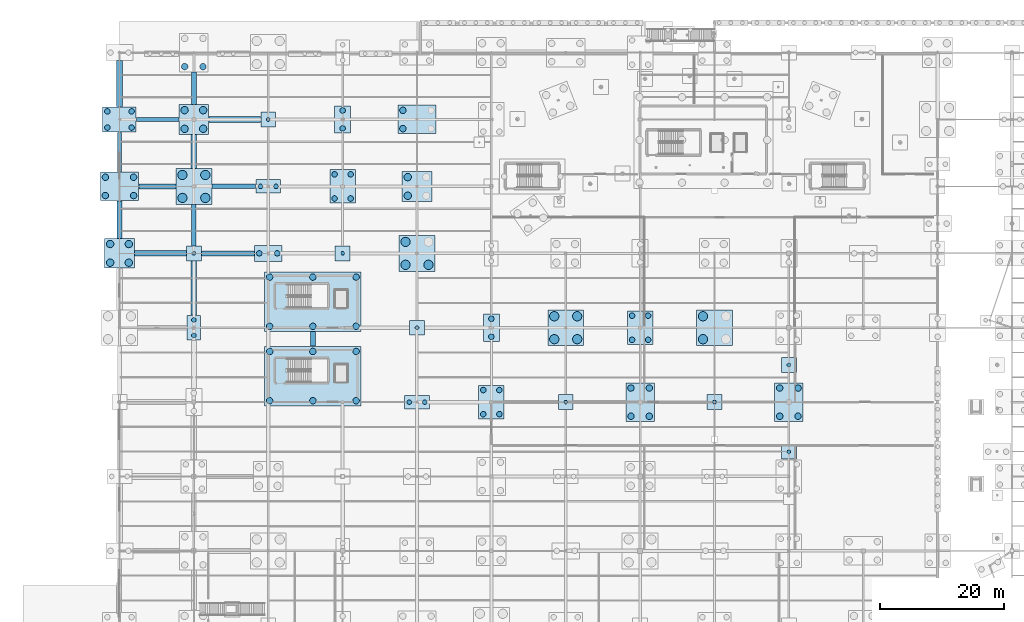
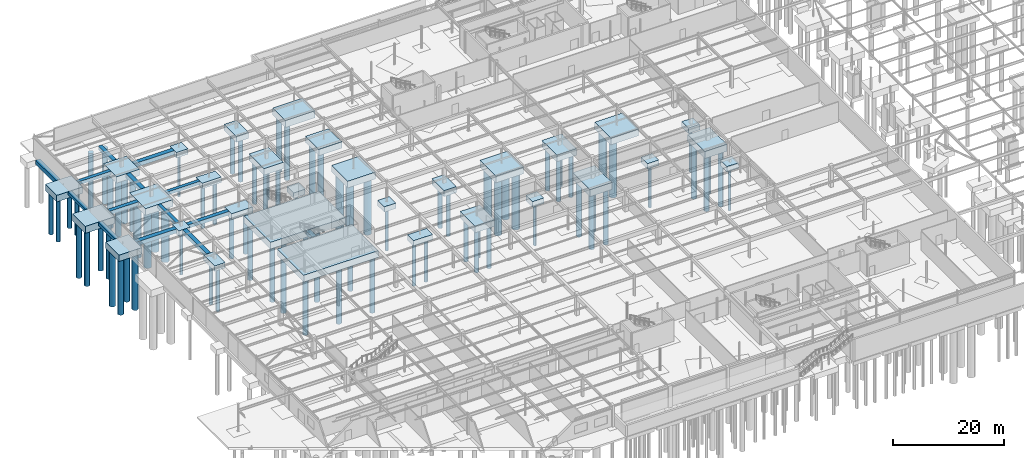
# One storey, part 4 of 136: 87 piles, 45 footings.
"""IFC4 building model written with IfcOpenShell, lengths in metres."""

from ifc_helpers import new_model, si_unit, direction, frame, origin, origin_2d, place, context, subcontext, project, spatial, rectangle, circle, extrude, material, material_profile, profile_set, type_object, element, save


model = new_model("IFC4")

# Units and contexts
model_context = context("Model", 3, precision=1e-05, world=origin(), true_north=direction((0.0, 1.0)))
body_context = subcontext(model_context, "Body", "Model", "MODEL_VIEW")
ifc_project = project(units=[si_unit("LENGTHUNIT", "METRE"), si_unit("AREAUNIT", "SQUARE_METRE"), si_unit("VOLUMEUNIT", "CUBIC_METRE"), si_unit("PLANEANGLEUNIT", "RADIAN"), si_unit("MASSUNIT", "GRAM", prefix="KILO")], contexts=[model_context])

# Site, building, storey
site_placement = place(None, origin())
site = spatial("IfcSite", under=ifc_project, at=site_placement, CompositionType="ELEMENT")
building_placement = place(site_placement, origin())
building = spatial("IfcBuilding", under=site, at=building_placement, Name="Tarnwether General Hospital", CompositionType="ELEMENT")
storey_placement = place(building_placement, frame((0.0, 0.0, -4.800048828125)))
storey = spatial("IfcBuildingStorey", under=building, at=storey_placement, Name="LG", CompositionType="ELEMENT", Elevation=-4.800048828125)

# Footings
ifc_material_1 = material(Name="Concrete 40 MPa", Category="concrete")
footing_type_1 = type_object("IfcFootingType", Name="FT-GB1", PredefinedType="FOOTING_BEAM", material=ifc_material_1)
footing_1_placement = place(storey_placement, frame((31.199951171875, 79.800048828125, -0.7998046875), z_axis=(0.0, 0.0, 1.0), x_axis=(0.0, 1.0, 0.0)))
element("IfcFooting", 1, at=footing_1_placement, inside=storey, type_object=footing_type_1, Name="Ground Footing Beam FT-GB-0001", PredefinedType="FOOTING_BEAM", context=body_context, shape_type="SweptSolid", body=[
    extrude(rectangle(XDim=2.360107421875, YDim=0.800048828125, at=origin_2d()), origin(), (0.0, 0.0, 1.0), 0.800048828125),
])
footing_2_placement = place(storey_placement, frame((0.0, 99.050048828125, -0.7998046875), z_axis=(0.0, 0.0, 1.0), x_axis=(0.0, 1.0, 0.0)))
element("IfcFooting", 2, at=footing_2_placement, inside=storey, type_object=footing_type_1, Name="Ground Footing Beam FT-GB-0019", PredefinedType="FOOTING_BEAM", context=body_context, shape_type="SweptSolid", body=[
    extrude(rectangle(XDim=6.06005859375, YDim=0.800048828125, at=origin_2d()), origin(), (0.0, 0.0, 1.0), 0.800048828125),
])
footing_3_placement = place(storey_placement, frame((6.10009765625, 104.39990234375, -0.7998046875), z_axis=(0.0, 0.0, 1.0), x_axis=(1.0, 0.0, 0.0)))
element("IfcFooting", 3, at=footing_3_placement, inside=storey, type_object=footing_type_1, Name="Ground Footing Beam FT-GB-0022", PredefinedType="FOOTING_BEAM", context=body_context, shape_type="SweptSolid", body=[
    extrude(rectangle(XDim=5.9599609375, YDim=0.800048828125, at=origin_2d()), origin(), (0.0, 0.0, 1.0), 0.800048828125),
])
footing_4_placement = place(storey_placement, frame((17.5, 93.60009765625, -0.7998046875), z_axis=(0.0, 0.0, 1.0), x_axis=(1.0, 0.0, 0.0)))
element("IfcFooting", 4, at=footing_4_placement, inside=storey, type_object=footing_type_1, Name="Ground Footing Beam FT-GB-0040", PredefinedType="FOOTING_BEAM", context=body_context, shape_type="SweptSolid", body=[
    extrude(rectangle(XDim=8.56005859375, YDim=0.800048828125, at=origin_2d()), origin(), (0.0, 0.0, 1.0), 0.800048828125),
])
footing_5_placement = place(storey_placement, frame((12.0, 120.25, -0.7998046875), z_axis=(0.0, 0.0, 1.0), x_axis=(0.0, 1.0, 0.0)))
element("IfcFooting", 5, at=footing_5_placement, inside=storey, type_object=footing_type_1, Name="Ground Footing Beam FT-GB-0043", PredefinedType="FOOTING_BEAM", context=body_context, shape_type="SweptSolid", body=[
    extrude(rectangle(XDim=5.260009765625, YDim=0.800048828125, at=origin_2d()), origin(), (0.0, 0.0, 1.0), 0.800048828125),
])
ifc_material_2 = material(Name="Concrete 40 MPa", Category="concrete")
footing_type_2 = type_object("IfcFootingType", Name="FT-GB2", PredefinedType="FOOTING_BEAM", material=ifc_material_2)
footing_6_placement = place(storey_placement, frame((6.60009765625, 93.60009765625, -0.89990234375), z_axis=(0.0, 0.0, 1.0), x_axis=(1.0, 0.0, 0.0)))
element("IfcFooting", 6, at=footing_6_placement, inside=storey, type_object=footing_type_2, Name="Ground Footing Beam FT-GB-0020", PredefinedType="FOOTING_BEAM", context=body_context, shape_type="SweptSolid", body=[
    extrude(rectangle(XDim=8.360107421875, YDim=0.89990234375, at=origin_2d()), origin(), (0.0, 0.0, 1.0), 0.89990234375),
])
footing_7_placement = place(storey_placement, frame((0.0, 120.97509765625, -0.89990234375), z_axis=(0.0, 0.0, 1.0), x_axis=(0.0, 1.0, 0.0)))
element("IfcFooting", 7, at=footing_7_placement, inside=storey, type_object=footing_type_2, Name="Ground Footing Beam FT-GB-0023", PredefinedType="FOOTING_BEAM", context=body_context, shape_type="SweptSolid", body=[
    extrude(rectangle(XDim=7.409912109375, YDim=0.89990234375, at=origin_2d()), origin(), (0.0, 0.0, 1.0), 0.89990234375),
])
footing_8_placement = place(storey_placement, frame((12.0, 88.0, -0.89990234375), z_axis=(0.0, 0.0, 1.0), x_axis=(0.0, 1.0, 0.0)))
element("IfcFooting", 8, at=footing_8_placement, inside=storey, type_object=footing_type_2, Name="Ground Footing Beam FT-GB-0038", PredefinedType="FOOTING_BEAM", context=body_context, shape_type="SweptSolid", body=[
    extrude(rectangle(XDim=8.760009765625, YDim=0.89990234375, at=origin_2d()), origin(), (0.0, 0.0, 1.0), 0.89990234375),
])
footing_9_placement = place(storey_placement, frame((12.0, 110.050048828125, -0.89990234375), z_axis=(0.0, 0.0, 1.0), x_axis=(0.0, 1.0, 0.0)))
element("IfcFooting", 9, at=footing_9_placement, inside=storey, type_object=footing_type_2, Name="Ground Footing Beam FT-GB-0041", PredefinedType="FOOTING_BEAM", context=body_context, shape_type="SweptSolid", body=[
    extrude(rectangle(XDim=5.4599609375, YDim=0.89990234375, at=origin_2d()), origin(), (0.0, 0.0, 1.0), 0.89990234375),
])
footing_10_placement = place(storey_placement, frame((18.60009765625, 115.199951171875, -0.89990234375), z_axis=(0.0, 0.0, 1.0), x_axis=(1.0, 0.0, 0.0)))
element("IfcFooting", 10, at=footing_10_placement, inside=storey, type_object=footing_type_2, Name="Ground Footing Beam FT-GB-0044", PredefinedType="FOOTING_BEAM", context=body_context, shape_type="SweptSolid", body=[
    extrude(rectangle(XDim=8.360107421875, YDim=0.89990234375, at=origin_2d()), origin(), (0.0, 0.0, 1.0), 0.89990234375),
])
ifc_material_3 = material(Name="Concrete 40 MPa", Category="concrete")
footing_type_3 = type_object("IfcFootingType", Name="FT-GB3", PredefinedType="FOOTING_BEAM", material=ifc_material_3)
footing_11_placement = place(storey_placement, frame((0.0, 109.925048828125, -0.69970703125), z_axis=(0.0, 0.0, 1.0), x_axis=(0.0, 1.0, 0.0)))
element("IfcFooting", 11, at=footing_11_placement, inside=storey, type_object=footing_type_3, Name="Ground Footing Beam FT-GB-0021", PredefinedType="FOOTING_BEAM", context=body_context, shape_type="SweptSolid", body=[
    extrude(rectangle(XDim=6.409912109375, YDim=0.699951171875, at=origin_2d()), origin(), (0.0, 0.0, 1.0), 0.699951171875),
])
footing_12_placement = place(storey_placement, frame((6.14990234375, 115.199951171875, -0.69970703125), z_axis=(0.0, 0.0, 1.0), x_axis=(1.0, 0.0, 0.0)))
element("IfcFooting", 12, at=footing_12_placement, inside=storey, type_object=footing_type_3, Name="Ground Footing Beam FT-GB-0024", PredefinedType="FOOTING_BEAM", context=body_context, shape_type="SweptSolid", body=[
    extrude(rectangle(XDim=6.860107421875, YDim=0.699951171875, at=origin_2d()), origin(), (0.0, 0.0, 1.0), 0.699951171875),
])
footing_13_placement = place(storey_placement, frame((12.0, 98.14990234375, -0.69970703125), z_axis=(0.0, 0.0, 1.0), x_axis=(0.0, 1.0, 0.0)))
element("IfcFooting", 13, at=footing_13_placement, inside=storey, type_object=footing_type_3, Name="Ground Footing Beam FT-GB-0039", PredefinedType="FOOTING_BEAM", context=body_context, shape_type="SweptSolid", body=[
    extrude(rectangle(XDim=6.659912109375, YDim=0.699951171875, at=origin_2d()), origin(), (0.0, 0.0, 1.0), 0.699951171875),
])
footing_14_placement = place(storey_placement, frame((18.449951171875, 104.39990234375, -0.69970703125), z_axis=(0.0, 0.0, 1.0), x_axis=(1.0, 0.0, 0.0)))
element("IfcFooting", 14, at=footing_14_placement, inside=storey, type_object=footing_type_3, Name="Ground Footing Beam FT-GB-0042", PredefinedType="FOOTING_BEAM", context=body_context, shape_type="SweptSolid", body=[
    extrude(rectangle(XDim=7.06005859375, YDim=0.699951171875, at=origin_2d()), origin(), (0.0, 0.0, 1.0), 0.699951171875),
])
ifc_material_4 = material(Name="Concrete 40 MPa", Category="concrete")
footing_type_4 = type_object("IfcFootingType", Name="FT-PC1", PredefinedType="PILE_CAP", material=ifc_material_4)
for number, where, z_axis, x_axis, name in (
    (15, (12.0, 93.60009765625, -1.19970703125), (0.0, 0.0, 1.0), (0.0, 1.0, 0.0), "Pile Cap FT-CAP-0031"),
    (16, (24.0, 115.199951171875, -1.19970703125), (0.0, 0.0, 1.0), (1.0, 0.0, 0.0), "Pile Cap FT-CAP-0043"),
    (17, (36.0, 93.60009765625, -1.19970703125), (0.0, 0.0, 1.0), (1.0, 0.0, 0.0), "Pile Cap FT-CAP-0051"),
    (18, (48.0, 81.60009765625, -1.19970703125), (0.0, 0.0, 1.0), (1.0, 0.0, 0.0), "Pile Cap FT-CAP-0062"),
    (19, (72.0, 69.60009765625, -1.19970703125), (0.0, 0.0, 1.0), (1.0, 0.0, 0.0), "Pile Cap FT-CAP-0083"),
    (20, (96.0, 69.60009765625, -1.19970703125), (0.0, 0.0, 1.0), (1.0, 0.0, 0.0), "Pile Cap FT-CAP-0099"),
    (21, (108.0, 61.60009765625, -1.19970703125), (0.0, 0.0, 1.0), (1.0, 0.0, 0.0), "Pile Cap FT-CAP-0180"),
    (22, (108.0, 75.60009765625, -1.19970703125), (0.0, 0.0, 1.0), (1.0, 0.0, 0.0), "Pile Cap FT-CAP-0182"),
):
    element("IfcFooting", number, at=place(storey_placement, frame(where, z_axis=z_axis, x_axis=x_axis)), inside=storey, type_object=footing_type_4, Name=name, PredefinedType="PILE_CAP", context=body_context, shape_type="SweptSolid", body=[
        extrude(rectangle(XDim=2.39990234375, YDim=2.39990234375, at=origin_2d()), origin(), (0.0, 0.0, 1.0), 1.199951171875),
    ])
ifc_material_5 = material(Name="Concrete 40 MPa", Category="concrete")
footing_type_5 = type_object("IfcFootingType", Name="FT-PC10", PredefinedType="PILE_CAP", material=ifc_material_5)
for number, where, z_axis, x_axis, name in (
    (23, (31.199951171875, 73.800048828125, -1.5), (0.0, 0.0, 1.0), (1.0, 0.0, 0.0), "Pile Cap FT-CAP-0003"),
    (24, (31.199951171875, 85.800048828125, -1.5), (0.0, 0.0, 1.0), (1.0, 0.0, 0.0), "Pile Cap FT-CAP-0004"),
):
    element("IfcFooting", number, at=place(storey_placement, frame(where, z_axis=z_axis, x_axis=x_axis)), inside=storey, type_object=footing_type_5, Name=name, PredefinedType="PILE_CAP", context=body_context, shape_type="SweptSolid", body=[
        extrude(rectangle(XDim=15.60009765625, YDim=9.60009765625, at=origin_2d()), origin(), (0.0, 0.0, 1.0), 1.5),
    ])
ifc_material_6 = material(Name="Concrete 40 MPa", Category="concrete")
footing_type_6 = type_object("IfcFootingType", Name="FT-PC2", PredefinedType="PILE_CAP", material=ifc_material_6)
for number, where, z_axis, x_axis, name in (
    (25, (12.0, 81.60009765625, -1.19970703125), (0.0, 0.0, 1.0), (0.0, 1.0, 0.0), "Pile Cap FT-CAP-0030"),
    (26, (24.0, 104.39990234375, -1.19970703125), (0.0, 0.0, 1.0), (1.0, 0.0, 0.0), "Pile Cap FT-CAP-0042"),
    (27, (48.0, 69.60009765625, -1.19970703125), (0.0, 0.0, 1.0), (1.0, 0.0, 0.0), "Pile Cap FT-CAP-0061"),
):
    element("IfcFooting", number, at=place(storey_placement, frame(where, z_axis=z_axis, x_axis=x_axis)), inside=storey, type_object=footing_type_6, Name=name, PredefinedType="PILE_CAP", context=body_context, shape_type="SweptSolid", body=[
        extrude(rectangle(XDim=4.0, YDim=2.199951171875, at=origin_2d()), origin(), (0.0, 0.0, 1.0), 1.199951171875),
    ])
ifc_material_7 = material(Name="Concrete 40 MPa", Category="concrete")
footing_type_7 = type_object("IfcFootingType", Name="FT-PC3", PredefinedType="PILE_CAP", material=ifc_material_7)
for number, where, z_axis, x_axis, name in (
    (28, (24.0, 93.60009765625, -1.2998046875), (0.0, 0.0, 1.0), (1.0, 0.0, 0.0), "Pile Cap FT-CAP-0041"),
    (29, (36.0, 115.199951171875, -1.2998046875), (0.0, 0.0, 1.0), (0.0, 1.0, 0.0), "Pile Cap FT-CAP-0053"),
    (30, (60.0, 81.60009765625, -1.2998046875), (0.0, 0.0, 1.0), (0.0, 1.0, 0.0), "Pile Cap FT-CAP-0074"),
):
    element("IfcFooting", number, at=place(storey_placement, frame(where, z_axis=z_axis, x_axis=x_axis)), inside=storey, type_object=footing_type_7, Name=name, PredefinedType="PILE_CAP", context=body_context, shape_type="SweptSolid", body=[
        extrude(rectangle(XDim=4.39990234375, YDim=2.60009765625, at=origin_2d()), origin(), (0.0, 0.0, 1.0), 1.300048828125),
    ])
ifc_material_8 = material(Name="Concrete 40 MPa", Category="concrete")
footing_type_8 = type_object("IfcFootingType", Name="FT-PC4", PredefinedType="PILE_CAP", material=ifc_material_8)
for number, where, z_axis, x_axis, name in (
    (31, (0.0, 93.60009765625, -1.39990234375), (0.0, 0.0, 1.0), (1.0, 0.0, 0.0), "Pile Cap FT-CAP-0019"),
    (32, (12.0, 115.199951171875, -1.39990234375), (0.0, 0.0, 1.0), (0.0, 1.0, 0.0), "Pile Cap FT-CAP-0033"),
    (33, (48.0, 104.39990234375, -1.39990234375), (0.0, 0.0, 1.0), (1.0, 0.0, 0.0), "Pile Cap FT-CAP-0064"),
):
    element("IfcFooting", number, at=place(storey_placement, frame(where, z_axis=z_axis, x_axis=x_axis)), inside=storey, type_object=footing_type_8, Name=name, PredefinedType="PILE_CAP", context=body_context, shape_type="SweptSolid", body=[
        extrude(rectangle(XDim=4.800048828125, YDim=4.800048828125, at=origin_2d()), origin(), (0.0, 0.0, 1.0), 1.39990234375),
    ])
ifc_material_9 = material(Name="Concrete 40 MPa", Category="concrete")
footing_type_9 = type_object("IfcFootingType", Name="FT-PC5", PredefinedType="PILE_CAP", material=ifc_material_9)
for number, where, z_axis, x_axis, name in (
    (34, (12.0, 104.39990234375, -1.5), (0.0, 0.0, 1.0), (0.0, 1.0, 0.0), "Pile Cap FT-CAP-0032"),
    (35, (48.0, 93.60009765625, -1.5), (0.0, 0.0, 1.0), (1.0, 0.0, 0.0), "Pile Cap FT-CAP-0063"),
    (36, (72.0, 81.60009765625, -1.5), (0.0, 0.0, 1.0), (1.0, 0.0, 0.0), "Pile Cap FT-CAP-0084"),
    (37, (96.0, 81.60009765625, -1.5), (0.0, 0.0, 1.0), (1.0, 0.0, 0.0), "Pile Cap FT-CAP-0100"),
):
    element("IfcFooting", number, at=place(storey_placement, frame(where, z_axis=z_axis, x_axis=x_axis)), inside=storey, type_object=footing_type_9, Name=name, PredefinedType="PILE_CAP", context=body_context, shape_type="SweptSolid", body=[
        extrude(rectangle(XDim=5.800048828125, YDim=5.800048828125, at=origin_2d()), origin(), (0.0, 0.0, 1.0), 1.5),
    ])
ifc_material_10 = material(Name="Concrete 40 MPa", Category="concrete")
footing_type_10 = type_object("IfcFootingType", Name="FT-PC6", PredefinedType="PILE_CAP", material=ifc_material_10)
for number, where, z_axis, x_axis, name in (
    (38, (0.0, 115.199951171875, -1.44970703125), (0.0, 0.0, 1.0), (1.0, 0.0, 0.0), "Pile Cap FT-CAP-0021"),
    (39, (36.0, 104.39990234375, -1.44970703125), (0.0, 0.0, 1.0), (0.0, 1.0, 0.0), "Pile Cap FT-CAP-0052"),
    (40, (60.0, 69.60009765625, -1.44970703125), (0.0, 0.0, 1.0), (0.0, 1.0, 0.0), "Pile Cap FT-CAP-0073"),
    (41, (84.0, 81.60009765625, -1.44970703125), (0.0, 0.0, 1.0), (0.0, 1.0, 0.0), "Pile Cap FT-CAP-0092"),
):
    element("IfcFooting", number, at=place(storey_placement, frame(where, z_axis=z_axis, x_axis=x_axis)), inside=storey, type_object=footing_type_10, Name=name, PredefinedType="PILE_CAP", context=body_context, shape_type="SweptSolid", body=[
        extrude(rectangle(XDim=5.39990234375, YDim=4.10009765625, at=origin_2d()), origin(), (0.0, 0.0, 1.0), 1.449951171875),
    ])
ifc_material_11 = material(Name="Concrete 40 MPa", Category="concrete")
footing_type_11 = type_object("IfcFootingType", Name="FT-PC7", PredefinedType="PILE_CAP", material=ifc_material_11)
for number, where, z_axis, x_axis, name in (
    (42, (0.0, 104.39990234375, -1.5498046875), (0.0, 0.0, 1.0), (1.0, 0.0, 0.0), "Pile Cap FT-CAP-0020"),
    (43, (48.0, 115.199951171875, -1.5498046875), (0.0, 0.0, 1.0), (1.0, 0.0, 0.0), "Pile Cap FT-CAP-0065"),
    (44, (84.0, 69.60009765625, -1.5498046875), (0.0, 0.0, 1.0), (0.0, 1.0, 0.0), "Pile Cap FT-CAP-0091"),
    (45, (108.0, 69.60009765625, -1.5498046875), (0.0, 0.0, 1.0), (0.0, 1.0, 0.0), "Pile Cap FT-CAP-0108"),
):
    element("IfcFooting", number, at=place(storey_placement, frame(where, z_axis=z_axis, x_axis=x_axis)), inside=storey, type_object=footing_type_11, Name=name, PredefinedType="PILE_CAP", context=body_context, shape_type="SweptSolid", body=[
        extrude(rectangle(XDim=6.199951171875, YDim=4.60009765625, at=origin_2d()), origin(), (0.0, 0.0, 1.0), 1.550048828125),
    ])

# Piles
ifc_material_12 = material(Name="Concrete 40 MPa", Category="concrete")
ifc_material_profile_1 = material_profile(ifc_material_12, circle(Radius=0.52490234375, at=origin_2d()), Name="PILE-D1050")
ifc_profile_set_1 = profile_set([ifc_material_profile_1], Name="Concrete 40 MPa")
pile_type_1 = type_object("IfcPileType", Name="PL-1050", PredefinedType="BORED", material=ifc_profile_set_1)
for number, where, z_axis, x_axis, name in (
    (46, (24.22509765625, 69.824951171875, -1.39990234375), (0.0, 0.0, -1.0), (1.0, 0.0, 0.0), "Bored Pile PLG-LG-242_698-0025"),
    (47, (24.22509765625, 77.77490234375, -1.39990234375), (0.0, 0.0, -1.0), (1.0, 0.0, 0.0), "Bored Pile PLG-LG-242_778-0026"),
    (48, (31.199951171875, 69.824951171875, -1.39990234375), (0.0, 0.0, -1.0), (1.0, 0.0, 0.0), "Bored Pile PLG-LG-312_698-0027"),
    (49, (31.199951171875, 77.77490234375, -1.39990234375), (0.0, 0.0, -1.0), (1.0, 0.0, 0.0), "Bored Pile PLG-LG-312_778-0028"),
    (50, (38.175048828125, 69.824951171875, -1.39990234375), (0.0, 0.0, -1.0), (1.0, 0.0, 0.0), "Bored Pile PLG-LG-382_698-0029"),
    (51, (38.175048828125, 77.77490234375, -1.39990234375), (0.0, 0.0, -1.0), (1.0, 0.0, 0.0), "Bored Pile PLG-LG-382_778-0030"),
    (52, (24.22509765625, 81.824951171875, -1.39990234375), (0.0, 0.0, -1.0), (1.0, 0.0, 0.0), "Bored Pile PLG-LG-242_818-0031"),
    (53, (24.22509765625, 89.77490234375, -1.39990234375), (0.0, 0.0, -1.0), (1.0, 0.0, 0.0), "Bored Pile PLG-LG-242_898-0032"),
    (54, (31.199951171875, 81.824951171875, -1.39990234375), (0.0, 0.0, -1.0), (1.0, 0.0, 0.0), "Bored Pile PLG-LG-312_818-0033"),
    (55, (31.199951171875, 89.77490234375, -1.39990234375), (0.0, 0.0, -1.0), (1.0, 0.0, 0.0), "Bored Pile PLG-LG-312_898-0034"),
    (56, (38.175048828125, 81.824951171875, -1.39990234375), (0.0, 0.0, -1.0), (1.0, 0.0, 0.0), "Bored Pile PLG-LG-382_818-0035"),
    (57, (38.175048828125, 89.77490234375, -1.39990234375), (0.0, 0.0, -1.0), (1.0, 0.0, 0.0), "Bored Pile PLG-LG-382_898-0036"),
):
    element("IfcPile", number, at=place(storey_placement, frame(where, z_axis=z_axis, x_axis=x_axis)), inside=storey, type_object=pile_type_1, Name=name, PredefinedType="BORED", context=body_context, shape_type="SweptSolid", body=[
        extrude(circle(Radius=0.52490234375, at=origin_2d()), origin(), (0.0, 0.0, 1.0), 12.300048828125),
    ])
for number, where, z_axis, x_axis, name in (
    (58, (-2.27490234375, 102.925048828125, -1.449951171875), (0.0, 0.0, -1.0), (1.0, 0.0, 0.0), "Bored Pile PLG-LG--23_1029-0090"),
    (59, (-2.27490234375, 105.875, -1.449951171875), (0.0, 0.0, -1.0), (1.0, 0.0, 0.0), "Bored Pile PLG-LG--23_1059-0091"),
    (60, (2.27490234375, 102.925048828125, -1.449951171875), (0.0, 0.0, -1.0), (1.0, 0.0, 0.0), "Bored Pile PLG-LG-23_1029-0092"),
    (61, (2.27490234375, 105.875, -1.449951171875), (0.0, 0.0, -1.0), (1.0, 0.0, 0.0), "Bored Pile PLG-LG-23_1059-0093"),
    (62, (13.47509765625, 123.72509765625, -1.449951171875), (0.0, 0.0, -1.0), (1.0, 0.0, 0.0), "Bored Pile PLG-LG-135_1237-0132"),
    (63, (10.52490234375, 123.72509765625, -1.449951171875), (0.0, 0.0, -1.0), (1.0, 0.0, 0.0), "Bored Pile PLG-LG-105_1237-0133"),
    (64, (45.72509765625, 113.72509765625, -1.449951171875), (0.0, 0.0, -1.0), (1.0, 0.0, 0.0), "Bored Pile PLG-LG-457_1137-0218"),
    (65, (45.72509765625, 116.675048828125, -1.449951171875), (0.0, 0.0, -1.0), (1.0, 0.0, 0.0), "Bored Pile PLG-LG-457_1167-0219"),
    (66, (85.47509765625, 67.324951171875, -1.449951171875), (0.0, 0.0, -1.0), (1.0, 0.0, 0.0), "Bored Pile PLG-LG-855_673-0298"),
    (67, (82.52490234375, 67.324951171875, -1.449951171875), (0.0, 0.0, -1.0), (1.0, 0.0, 0.0), "Bored Pile PLG-LG-825_673-0299"),
    (68, (85.47509765625, 71.875, -1.449951171875), (0.0, 0.0, -1.0), (1.0, 0.0, 0.0), "Bored Pile PLG-LG-855_719-0300"),
    (69, (82.52490234375, 71.875, -1.449951171875), (0.0, 0.0, -1.0), (1.0, 0.0, 0.0), "Bored Pile PLG-LG-825_719-0301"),
    (70, (109.47509765625, 67.324951171875, -1.449951171875), (0.0, 0.0, -1.0), (1.0, 0.0, 0.0), "Bored Pile PLG-LG-1095_673-0350"),
    (71, (106.52490234375, 67.324951171875, -1.449951171875), (0.0, 0.0, -1.0), (1.0, 0.0, 0.0), "Bored Pile PLG-LG-1065_673-0351"),
    (72, (109.47509765625, 71.875, -1.449951171875), (0.0, 0.0, -1.0), (1.0, 0.0, 0.0), "Bored Pile PLG-LG-1095_719-0352"),
    (73, (106.52490234375, 71.875, -1.449951171875), (0.0, 0.0, -1.0), (1.0, 0.0, 0.0), "Bored Pile PLG-LG-1065_719-0353"),
):
    element("IfcPile", number, at=place(storey_placement, frame(where, z_axis=z_axis, x_axis=x_axis)), inside=storey, type_object=pile_type_1, Name=name, PredefinedType="BORED", context=body_context, shape_type="SweptSolid", body=[
        extrude(circle(Radius=0.52490234375, at=origin_2d()), origin(), (0.0, 0.0, 1.0), 12.25),
    ])
ifc_material_13 = material(Name="Concrete 40 MPa", Category="concrete")
ifc_material_profile_2 = material_profile(ifc_material_13, circle(Radius=0.60009765625, at=origin_2d()), Name="PILE-D1200")
ifc_profile_set_2 = profile_set([ifc_material_profile_2], Name="Concrete 40 MPa")
pile_type_2 = type_object("IfcPileType", Name="PL-1200", PredefinedType="BORED", material=ifc_profile_set_2)
for number, where, z_axis, x_axis, name in (
    (74, (-1.5, 92.10009765625, -1.300048828125), (0.0, 0.0, -1.0), (1.0, 0.0, 0.0), "Bored Pile PLG-LG--15_921-0086"),
    (75, (-1.5, 95.10009765625, -1.300048828125), (0.0, 0.0, -1.0), (1.0, 0.0, 0.0), "Bored Pile PLG-LG--15_951-0087"),
    (76, (1.5, 92.10009765625, -1.300048828125), (0.0, 0.0, -1.0), (1.0, 0.0, 0.0), "Bored Pile PLG-LG-15_921-0088"),
    (77, (1.5, 95.10009765625, -1.300048828125), (0.0, 0.0, -1.0), (1.0, 0.0, 0.0), "Bored Pile PLG-LG-15_951-0089"),
    (78, (13.5, 113.699951171875, -1.300048828125), (0.0, 0.0, -1.0), (1.0, 0.0, 0.0), "Bored Pile PLG-LG-135_1137-0128"),
    (79, (10.5, 113.699951171875, -1.300048828125), (0.0, 0.0, -1.0), (1.0, 0.0, 0.0), "Bored Pile PLG-LG-105_1137-0129"),
    (80, (13.5, 116.699951171875, -1.300048828125), (0.0, 0.0, -1.0), (1.0, 0.0, 0.0), "Bored Pile PLG-LG-135_1167-0130"),
    (81, (10.5, 116.699951171875, -1.300048828125), (0.0, 0.0, -1.0), (1.0, 0.0, 0.0), "Bored Pile PLG-LG-105_1167-0131"),
    (82, (46.5, 102.89990234375, -1.300048828125), (0.0, 0.0, -1.0), (1.0, 0.0, 0.0), "Bored Pile PLG-LG-465_1029-0214"),
    (83, (46.5, 105.89990234375, -1.300048828125), (0.0, 0.0, -1.0), (1.0, 0.0, 0.0), "Bored Pile PLG-LG-465_1059-0215"),
):
    element("IfcPile", number, at=place(storey_placement, frame(where, z_axis=z_axis, x_axis=x_axis)), inside=storey, type_object=pile_type_2, Name=name, PredefinedType="BORED", context=body_context, shape_type="SweptSolid", body=[
        extrude(circle(Radius=0.60009765625, at=origin_2d()), origin(), (0.0, 0.0, 1.0), 12.39990234375),
    ])
ifc_material_14 = material(Name="Concrete 40 MPa", Category="concrete")
ifc_material_profile_3 = material_profile(ifc_material_14, circle(Radius=0.75, at=origin_2d()), Name="PILE-D1500")
ifc_profile_set_3 = profile_set([ifc_material_profile_3], Name="Concrete 40 MPa")
pile_type_3 = type_object("IfcPileType", Name="PL-1500", PredefinedType="BORED", material=ifc_profile_set_3)
for number, where, z_axis, x_axis, name in (
    (84, (13.85009765625, 102.550048828125, -1.39990234375), (0.0, 0.0, -1.0), (1.0, 0.0, 0.0), "Bored Pile PLG-LG-138_1026-0124"),
    (85, (10.14990234375, 102.550048828125, -1.39990234375), (0.0, 0.0, -1.0), (1.0, 0.0, 0.0), "Bored Pile PLG-LG-102_1026-0125"),
    (86, (13.85009765625, 106.25, -1.39990234375), (0.0, 0.0, -1.0), (1.0, 0.0, 0.0), "Bored Pile PLG-LG-138_1062-0126"),
    (87, (10.14990234375, 106.25, -1.39990234375), (0.0, 0.0, -1.0), (1.0, 0.0, 0.0), "Bored Pile PLG-LG-102_1062-0127"),
    (88, (46.14990234375, 91.75, -1.39990234375), (0.0, 0.0, -1.0), (1.0, 0.0, 0.0), "Bored Pile PLG-LG-462_918-0210"),
    (89, (46.14990234375, 95.449951171875, -1.39990234375), (0.0, 0.0, -1.0), (1.0, 0.0, 0.0), "Bored Pile PLG-LG-462_954-0211"),
    (90, (49.85009765625, 91.75, -1.39990234375), (0.0, 0.0, -1.0), (1.0, 0.0, 0.0), "Bored Pile PLG-LG-498_918-0212"),
    (91, (70.14990234375, 79.75, -1.39990234375), (0.0, 0.0, -1.0), (1.0, 0.0, 0.0), "Bored Pile PLG-LG-702_798-0273"),
    (92, (70.14990234375, 83.449951171875, -1.39990234375), (0.0, 0.0, -1.0), (1.0, 0.0, 0.0), "Bored Pile PLG-LG-702_834-0274"),
    (93, (73.85009765625, 79.75, -1.39990234375), (0.0, 0.0, -1.0), (1.0, 0.0, 0.0), "Bored Pile PLG-LG-738_798-0275"),
    (94, (73.85009765625, 83.449951171875, -1.39990234375), (0.0, 0.0, -1.0), (1.0, 0.0, 0.0), "Bored Pile PLG-LG-738_834-0276"),
    (95, (94.14990234375, 79.75, -1.39990234375), (0.0, 0.0, -1.0), (1.0, 0.0, 0.0), "Bored Pile PLG-LG-942_798-0325"),
    (96, (94.14990234375, 83.449951171875, -1.39990234375), (0.0, 0.0, -1.0), (1.0, 0.0, 0.0), "Bored Pile PLG-LG-942_834-0326"),
):
    element("IfcPile", number, at=place(storey_placement, frame(where, z_axis=z_axis, x_axis=x_axis)), inside=storey, type_object=pile_type_3, Name=name, PredefinedType="BORED", context=body_context, shape_type="SweptSolid", body=[
        extrude(circle(Radius=0.75, at=origin_2d()), origin(), (0.0, 0.0, 1.0), 12.300048828125),
    ])
ifc_material_15 = material(Name="Concrete 40 MPa", Category="concrete")
ifc_material_profile_4 = material_profile(ifc_material_15, circle(Radius=0.300048828125, at=origin_2d()), Name="PILE-D600")
ifc_profile_set_4 = profile_set([ifc_material_profile_4], Name="Concrete 40 MPa")
pile_type_4 = type_object("IfcPileType", Name="PL-600", PredefinedType="BORED", material=ifc_profile_set_4)
for number, where, z_axis, x_axis, name in (
    (97, (12.0, 93.60009765625, -1.099853515625), (0.0, 0.0, -1.0), (1.0, 0.0, 0.0), "Bored Pile PLG-LG-120_936-0123"),
    (98, (24.0, 115.199951171875, -1.099853515625), (0.0, 0.0, -1.0), (1.0, 0.0, 0.0), "Bored Pile PLG-LG-240_1152-0157"),
    (99, (36.0, 93.60009765625, -1.099853515625), (0.0, 0.0, -1.0), (1.0, 0.0, 0.0), "Bored Pile PLG-LG-360_936-0179"),
    (100, (48.0, 81.60009765625, -1.099853515625), (0.0, 0.0, -1.0), (1.0, 0.0, 0.0), "Bored Pile PLG-LG-480_816-0209"),
    (101, (72.0, 69.60009765625, -1.099853515625), (0.0, 0.0, -1.0), (1.0, 0.0, 0.0), "Bored Pile PLG-LG-720_696-0272"),
    (102, (96.0, 69.60009765625, -1.099853515625), (0.0, 0.0, -1.0), (1.0, 0.0, 0.0), "Bored Pile PLG-LG-960_696-0324"),
    (103, (108.0, 61.60009765625, -1.099853515625), (0.0, 0.0, -1.0), (1.0, 0.0, 0.0), "Bored Pile PLG-LG-1080_616-0549"),
    (104, (108.0, 75.60009765625, -1.099853515625), (0.0, 0.0, -1.0), (1.0, 0.0, 0.0), "Bored Pile PLG-LG-1080_756-0550"),
):
    element("IfcPile", number, at=place(storey_placement, frame(where, z_axis=z_axis, x_axis=x_axis)), inside=storey, type_object=pile_type_4, Name=name, PredefinedType="BORED", context=body_context, shape_type="SweptSolid", body=[
        extrude(circle(Radius=0.300048828125, at=origin_2d()), origin(), (0.0, 0.0, 1.0), 9.60009765625),
    ])
ifc_material_16 = material(Name="Concrete 40 MPa", Category="concrete")
ifc_material_profile_5 = material_profile(ifc_material_16, circle(Radius=0.375, at=origin_2d()), Name="PILE-D750")
ifc_profile_set_5 = profile_set([ifc_material_profile_5], Name="Concrete 40 MPa")
pile_type_5 = type_object("IfcPileType", Name="PL-750", PredefinedType="BORED", material=ifc_profile_set_5)
for number, where, z_axis, x_axis, name in (
    (105, (12.0, 80.35009765625, -1.099853515625), (0.0, 0.0, -1.0), (1.0, 0.0, 0.0), "Bored Pile PLG-LG-120_804-0121"),
    (106, (12.0, 82.85009765625, -1.099853515625), (0.0, 0.0, -1.0), (1.0, 0.0, 0.0), "Bored Pile PLG-LG-120_828-0122"),
    (107, (22.75, 104.39990234375, -1.099853515625), (0.0, 0.0, -1.0), (1.0, 0.0, 0.0), "Bored Pile PLG-LG-228_1044-0155"),
    (108, (25.25, 104.39990234375, -1.099853515625), (0.0, 0.0, -1.0), (1.0, 0.0, 0.0), "Bored Pile PLG-LG-252_1044-0156"),
    (109, (46.75, 69.60009765625, -1.099853515625), (0.0, 0.0, -1.0), (1.0, 0.0, 0.0), "Bored Pile PLG-LG-468_696-0207"),
    (110, (49.25, 69.60009765625, -1.099853515625), (0.0, 0.0, -1.0), (1.0, 0.0, 0.0), "Bored Pile PLG-LG-492_696-0208"),
):
    element("IfcPile", number, at=place(storey_placement, frame(where, z_axis=z_axis, x_axis=x_axis)), inside=storey, type_object=pile_type_5, Name=name, PredefinedType="BORED", context=body_context, shape_type="SweptSolid", body=[
        extrude(circle(Radius=0.375, at=origin_2d()), origin(), (0.0, 0.0, 1.0), 9.60009765625),
    ])
ifc_material_17 = material(Name="Concrete 40 MPa", Category="concrete")
ifc_material_profile_6 = material_profile(ifc_material_17, circle(Radius=0.449951171875, at=origin_2d()), Name="PILE-D900")
ifc_profile_set_6 = profile_set([ifc_material_profile_6], Name="Concrete 40 MPa")
pile_type_6 = type_object("IfcPileType", Name="PL-900", PredefinedType="BORED", material=ifc_profile_set_6)
for number, where, z_axis, x_axis, name in (
    (111, (-1.949951171875, 113.89990234375, -1.349853515625), (0.0, 0.0, -1.0), (1.0, 0.0, 0.0), "Bored Pile PLG-LG--20_1139-0094"),
    (112, (-1.949951171875, 116.5, -1.349853515625), (0.0, 0.0, -1.0), (1.0, 0.0, 0.0), "Bored Pile PLG-LG--20_1165-0095"),
    (113, (1.949951171875, 113.89990234375, -1.349853515625), (0.0, 0.0, -1.0), (1.0, 0.0, 0.0), "Bored Pile PLG-LG-20_1139-0096"),
    (114, (1.949951171875, 116.5, -1.349853515625), (0.0, 0.0, -1.0), (1.0, 0.0, 0.0), "Bored Pile PLG-LG-20_1165-0097"),
):
    element("IfcPile", number, at=place(storey_placement, frame(where, z_axis=z_axis, x_axis=x_axis)), inside=storey, type_object=pile_type_6, Name=name, PredefinedType="BORED", context=body_context, shape_type="SweptSolid", body=[
        extrude(circle(Radius=0.449951171875, at=origin_2d()), origin(), (0.0, 0.0, 1.0), 9.35009765625),
    ])
for number, where, z_axis, x_axis, name in (
    (115, (22.550048828125, 93.60009765625, -1.199951171875), (0.0, 0.0, -1.0), (1.0, 0.0, 0.0), "Bored Pile PLG-LG-226_936-0153"),
    (116, (25.449951171875, 93.60009765625, -1.199951171875), (0.0, 0.0, -1.0), (1.0, 0.0, 0.0), "Bored Pile PLG-LG-254_936-0154"),
):
    element("IfcPile", number, at=place(storey_placement, frame(where, z_axis=z_axis, x_axis=x_axis)), inside=storey, type_object=pile_type_6, Name=name, PredefinedType="BORED", context=body_context, shape_type="SweptSolid", body=[
        extrude(circle(Radius=0.449951171875, at=origin_2d()), origin(), (0.0, 0.0, 1.0), 9.5),
    ])
for number, where, z_axis, x_axis, name in (
    (117, (37.300048828125, 102.449951171875, -1.349853515625), (0.0, 0.0, -1.0), (1.0, 0.0, 0.0), "Bored Pile PLG-LG-373_1024-0180"),
    (118, (34.699951171875, 102.449951171875, -1.349853515625), (0.0, 0.0, -1.0), (1.0, 0.0, 0.0), "Bored Pile PLG-LG-347_1024-0181"),
    (119, (37.300048828125, 106.35009765625, -1.349853515625), (0.0, 0.0, -1.0), (1.0, 0.0, 0.0), "Bored Pile PLG-LG-373_1064-0182"),
    (120, (34.699951171875, 106.35009765625, -1.349853515625), (0.0, 0.0, -1.0), (1.0, 0.0, 0.0), "Bored Pile PLG-LG-347_1064-0183"),
):
    element("IfcPile", number, at=place(storey_placement, frame(where, z_axis=z_axis, x_axis=x_axis)), inside=storey, type_object=pile_type_6, Name=name, PredefinedType="BORED", context=body_context, shape_type="SweptSolid", body=[
        extrude(circle(Radius=0.449951171875, at=origin_2d()), origin(), (0.0, 0.0, 1.0), 9.35009765625),
    ])
for number, where, z_axis, x_axis, name in (
    (121, (36.0, 113.75, -1.199951171875), (0.0, 0.0, -1.0), (1.0, 0.0, 0.0), "Bored Pile PLG-LG-360_1138-0184"),
    (122, (36.0, 116.64990234375, -1.199951171875), (0.0, 0.0, -1.0), (1.0, 0.0, 0.0), "Bored Pile PLG-LG-360_1166-0185"),
):
    element("IfcPile", number, at=place(storey_placement, frame(where, z_axis=z_axis, x_axis=x_axis)), inside=storey, type_object=pile_type_6, Name=name, PredefinedType="BORED", context=body_context, shape_type="SweptSolid", body=[
        extrude(circle(Radius=0.449951171875, at=origin_2d()), origin(), (0.0, 0.0, 1.0), 9.5),
    ])
for number, where, z_axis, x_axis, name in (
    (123, (61.300048828125, 67.64990234375, -1.349853515625), (0.0, 0.0, -1.0), (1.0, 0.0, 0.0), "Bored Pile PLG-LG-613_676-0243"),
    (124, (58.699951171875, 67.64990234375, -1.349853515625), (0.0, 0.0, -1.0), (1.0, 0.0, 0.0), "Bored Pile PLG-LG-587_676-0244"),
    (125, (61.300048828125, 71.550048828125, -1.349853515625), (0.0, 0.0, -1.0), (1.0, 0.0, 0.0), "Bored Pile PLG-LG-613_716-0245"),
    (126, (58.699951171875, 71.550048828125, -1.349853515625), (0.0, 0.0, -1.0), (1.0, 0.0, 0.0), "Bored Pile PLG-LG-587_716-0246"),
):
    element("IfcPile", number, at=place(storey_placement, frame(where, z_axis=z_axis, x_axis=x_axis)), inside=storey, type_object=pile_type_6, Name=name, PredefinedType="BORED", context=body_context, shape_type="SweptSolid", body=[
        extrude(circle(Radius=0.449951171875, at=origin_2d()), origin(), (0.0, 0.0, 1.0), 9.35009765625),
    ])
for number, where, z_axis, x_axis, name in (
    (127, (60.0, 80.14990234375, -1.199951171875), (0.0, 0.0, -1.0), (1.0, 0.0, 0.0), "Bored Pile PLG-LG-600_802-0247"),
    (128, (60.0, 83.050048828125, -1.199951171875), (0.0, 0.0, -1.0), (1.0, 0.0, 0.0), "Bored Pile PLG-LG-600_830-0248"),
):
    element("IfcPile", number, at=place(storey_placement, frame(where, z_axis=z_axis, x_axis=x_axis)), inside=storey, type_object=pile_type_6, Name=name, PredefinedType="BORED", context=body_context, shape_type="SweptSolid", body=[
        extrude(circle(Radius=0.449951171875, at=origin_2d()), origin(), (0.0, 0.0, 1.0), 9.5),
    ])
for number, where, z_axis, x_axis, name in (
    (129, (85.300048828125, 79.64990234375, -1.349853515625), (0.0, 0.0, -1.0), (1.0, 0.0, 0.0), "Bored Pile PLG-LG-853_796-0302"),
    (130, (82.699951171875, 79.64990234375, -1.349853515625), (0.0, 0.0, -1.0), (1.0, 0.0, 0.0), "Bored Pile PLG-LG-827_796-0303"),
    (131, (85.300048828125, 83.550048828125, -1.349853515625), (0.0, 0.0, -1.0), (1.0, 0.0, 0.0), "Bored Pile PLG-LG-853_836-0304"),
    (132, (82.699951171875, 83.550048828125, -1.349853515625), (0.0, 0.0, -1.0), (1.0, 0.0, 0.0), "Bored Pile PLG-LG-827_836-0305"),
):
    element("IfcPile", number, at=place(storey_placement, frame(where, z_axis=z_axis, x_axis=x_axis)), inside=storey, type_object=pile_type_6, Name=name, PredefinedType="BORED", context=body_context, shape_type="SweptSolid", body=[
        extrude(circle(Radius=0.449951171875, at=origin_2d()), origin(), (0.0, 0.0, 1.0), 9.35009765625),
    ])

save(model, "model.ifc")
